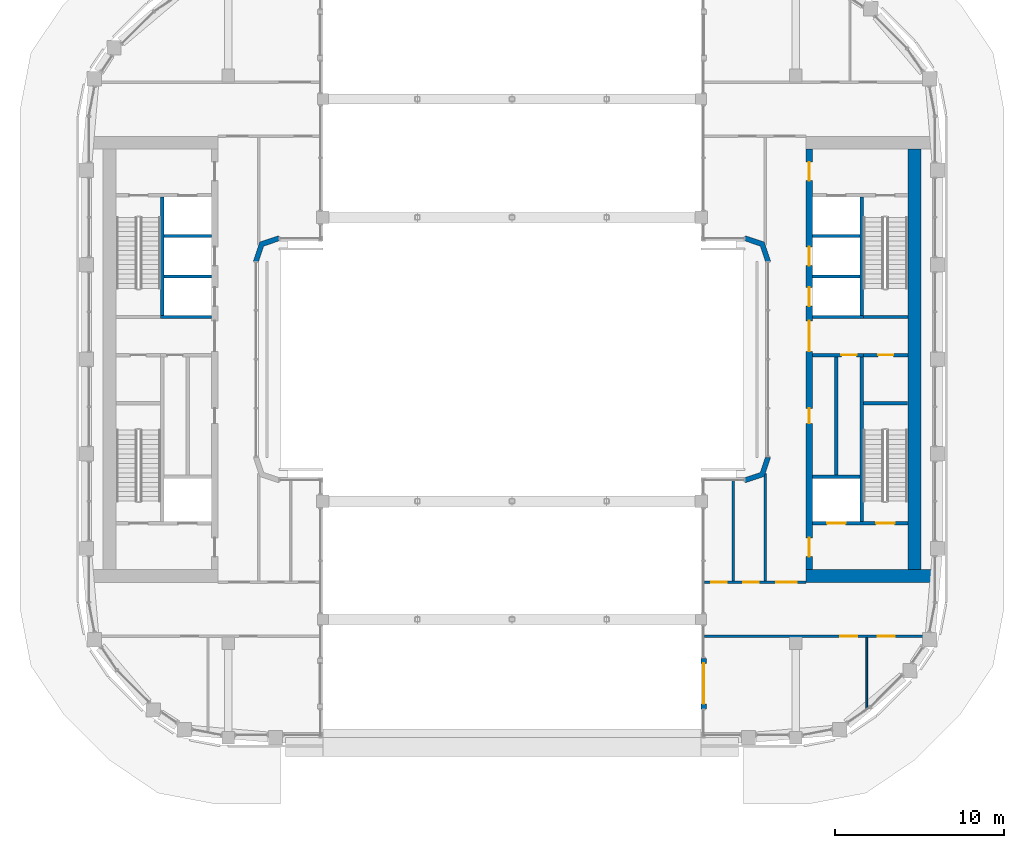
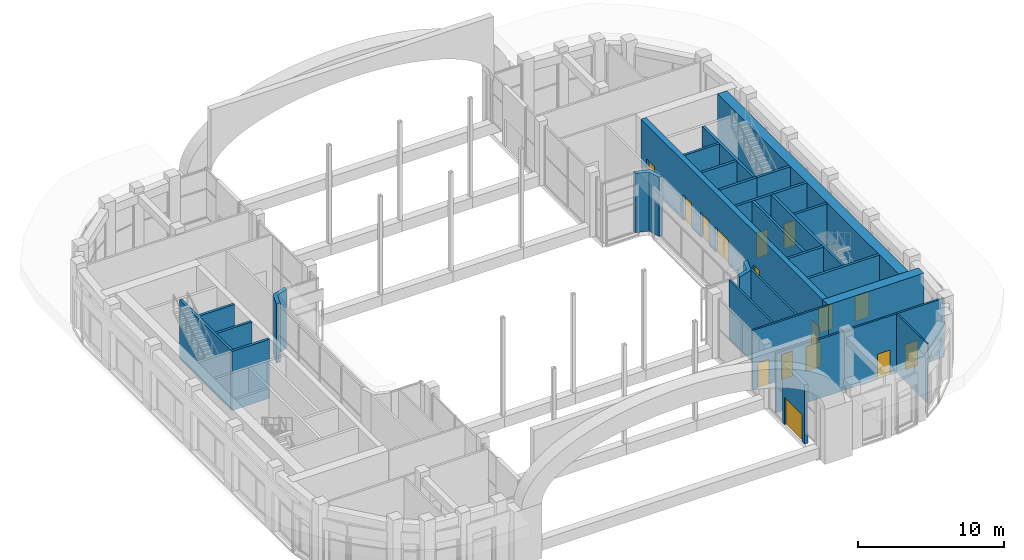
# One storey, part 15 of 26: 28 walls, 16 doors, 16 openings.
"""IFC4 building model written with IfcOpenShell, lengths in metres."""

from ifc_helpers import new_model, si_unit, direction, frame, frame_2d, origin, place, context, subcontext, project, spatial, polyline, rectangle, outline, extrude, material, layer, layer_set, type_object, element, fill, save


model = new_model("IFC4")

# Units and contexts
model_context = context("Model", 3, precision=1e-05, world=origin(), true_north=direction((0.0, 1.0)))
body_context = subcontext(model_context, "Body", "Model", "MODEL_VIEW")
ifc_project = project(units=[si_unit("LENGTHUNIT", "METRE"), si_unit("AREAUNIT", "SQUARE_METRE"), si_unit("VOLUMEUNIT", "CUBIC_METRE"), si_unit("PLANEANGLEUNIT", "RADIAN"), si_unit("MASSUNIT", "GRAM", prefix="KILO")], contexts=[model_context])

# Site, building, storey
site_placement = place(None, origin())
site = spatial("IfcSite", under=ifc_project, at=site_placement, CompositionType="ELEMENT")
building_placement = place(site_placement, origin())
building = spatial("IfcBuilding", under=site, at=building_placement, Name="Kiln Ring Residences", CompositionType="ELEMENT")
storey_placement = place(building_placement, frame((0.0, 0.0, 230.89990234375)))
storey = spatial("IfcBuildingStorey", under=building, at=storey_placement, Name="L60", CompositionType="ELEMENT", Elevation=230.89990234375)

# Wall, opening, door
ifc_material_1 = material(Name="Gypsum board on steel studs", Category="steel")
ifc_layer_1 = layer(ifc_material_1, 0.199951171875)
ifc_layer_set_1 = layer_set([ifc_layer_1], Name="CORE-PARTITION-200")
wall_type_1 = type_object("IfcWallType", Name="CORE-PARTITION-200", PredefinedType="PARTITIONING", material=ifc_layer_set_1)
wall_1_placement = place(storey_placement, frame((20.800048828125, 0.25, 0.0), z_axis=(0.0, 0.0, 1.0), x_axis=(1.0, 0.0, 0.0)))
wall_1 = element("IfcWall", 1, at=wall_1_placement, inside=storey, type_object=wall_type_1, Name="Core partition east L60 1", PredefinedType="PARTITIONING", context=body_context, shape_type="SweptSolid", body=[
    extrude(rectangle(XDim=2.64990234375, YDim=0.199951171875, at=frame_2d((1.324951171875, 0.0))), origin(), (0.0, 0.0, 1.0), 4.9501953125),
])
opening_1_placement = place(wall_1_placement, frame((0.875, 0.0, 0.0)))
opening_1 = element("IfcOpeningElement", 2, at=opening_1_placement, cuts=wall_1, Name="Opening L60-CE12", PredefinedType="OPENING", context=body_context, shape_type="SweptSolid", body=[
    extrude(rectangle(XDim=0.89990234375, YDim=2.10009765625, at=frame_2d((0.449951171875, 1.050048828125))), frame((0.0, 0.10986328125, 0.0), z_axis=(0.0, -1.0, 0.0), x_axis=(1.0, 0.0, 0.0)), (0.0, 0.0, 1.0), 0.219970703125),
])
ifc_material_2 = material(Name="Steel door leaf", Category="steel")
door_type_1 = type_object("IfcDoorType", Name="CORE-DOOR-ROOM", OperationType="SINGLE_SWING_LEFT", PredefinedType="DOOR", material=ifc_material_2)
door_1_placement = place(opening_1_placement, origin())
door_1 = element("IfcDoor", 3, at=door_1_placement, inside=storey, type_object=door_type_1, Name="Refuse and recycling room L60-CE12", OperationType="SINGLE_SWING_LEFT", OverallHeight=2.10009765625, OverallWidth=0.89990234375, PredefinedType="DOOR", context=body_context, shape_type="SweptSolid", body=[
    extrude(rectangle(XDim=0.89990234375, YDim=2.10009765625, at=frame_2d((0.449951171875, 1.050048828125))), frame((0.0, 0.02490234375, 0.0), z_axis=(0.0, -1.0, 0.0), x_axis=(1.0, 0.0, 0.0)), (0.0, 0.0, 1.0), 0.050048828125),
])
fill(opening_1, door_1)

# Walls
wall_2_placement = place(storey_placement, frame((19.199951171875, -6.85009765625, 0.0), z_axis=(0.0, 0.0, 1.0), x_axis=(0.0, 1.0, 0.0)))
element("IfcWall", 4, at=wall_2_placement, inside=storey, type_object=wall_type_1, Name="Core partition east L60 2", PredefinedType="PARTITIONING", context=body_context, shape_type="SweptSolid", body=[
    extrude(rectangle(XDim=7.0, YDim=0.199951171875, at=frame_2d((3.5, 0.0))), origin(), (0.0, 0.0, 1.0), 4.9501953125),
])
ifc_material_3 = material(Name="Gypsum shaft wall system")
ifc_layer_2 = layer(ifc_material_3, 0.199951171875)
ifc_layer_set_2 = layer_set([ifc_layer_2], Name="CORE-SHAFT-WALL-200")
wall_type_2 = type_object("IfcWallType", Name="CORE-SHAFT-WALL-200", PredefinedType="PARTITIONING", material=ifc_layer_set_2)
wall_3_placement = place(storey_placement, frame((-17.800048828125, 2.5, 0.0), z_axis=(0.0, 0.0, 1.0), x_axis=(-1.0, 0.0, 0.0)))
element("IfcWall", 5, at=wall_3_placement, inside=storey, type_object=wall_type_2, Name="Core partition west L60 5", PredefinedType="PARTITIONING", context=body_context, shape_type="SweptSolid", body=[
    extrude(rectangle(XDim=3.0, YDim=0.199951171875, at=frame_2d((1.5, 0.0))), origin(), (0.0, 0.0, 1.0), 4.9501953125),
])
for number, where, z_axis, x_axis, name in (
    (6, (-17.800048828125, 4.89990234375, 0.0), (0.0, 0.0, 1.0), (-1.0, 0.0, 0.0), "Core partition west L60 6"),
    (7, (-17.800048828125, 7.300048828125, 0.0), (0.0, 0.0, 1.0), (-1.0, 0.0, 0.0), "Core partition west L60 7"),
    (8, (17.800048828125, -6.949951171875, 0.0), (0.0, 0.0, 1.0), (1.0, 0.0, 0.0), "Core partition east L60 3"),
):
    element("IfcWall", number, at=place(storey_placement, frame(where, z_axis=z_axis, x_axis=x_axis)), inside=storey, type_object=wall_type_2, Name=name, PredefinedType="PARTITIONING", context=body_context, shape_type="SweptSolid", body=[
        extrude(rectangle(XDim=2.800048828125, YDim=0.199951171875, at=frame_2d((1.39990234375, 0.0))), origin(), (0.0, 0.0, 1.0), 4.9501953125),
    ])

# Wall, opening, door
wall_4_placement = place(storey_placement, frame((17.800048828125, 0.25, 0.0), z_axis=(0.0, 0.0, 1.0), x_axis=(1.0, 0.0, 0.0)))
wall_4 = element("IfcWall", 9, at=wall_4_placement, inside=storey, type_object=wall_type_2, Name="Core partition east L60 4", PredefinedType="PARTITIONING", context=body_context, shape_type="SweptSolid", body=[
    extrude(rectangle(XDim=3.0, YDim=0.199951171875, at=frame_2d((1.5, 0.0))), origin(), (0.0, 0.0, 1.0), 4.9501953125),
])
opening_2_placement = place(wall_4_placement, frame((1.699951171875, 0.0, 0.0)))
opening_2 = element("IfcOpeningElement", 10, at=opening_2_placement, cuts=wall_4, Name="Opening L60-CE03", PredefinedType="OPENING", context=body_context, shape_type="SweptSolid", body=[
    extrude(rectangle(XDim=0.89990234375, YDim=2.10009765625, at=frame_2d((0.449951171875, 1.050048828125))), frame((0.0, 0.10986328125, 0.0), z_axis=(0.0, -1.0, 0.0), x_axis=(1.0, 0.0, 0.0)), (0.0, 0.0, 1.0), 0.219970703125),
])
door_2_placement = place(opening_2_placement, origin())
door_2 = element("IfcDoor", 11, at=door_2_placement, inside=storey, type_object=door_type_1, Name="Locker store L60-CE03", OperationType="SINGLE_SWING_RIGHT", OverallHeight=2.10009765625, OverallWidth=0.89990234375, PredefinedType="DOOR", context=body_context, shape_type="SweptSolid", body=[
    extrude(rectangle(XDim=0.89990234375, YDim=2.10009765625, at=frame_2d((0.449951171875, 1.050048828125))), frame((0.0, 0.02490234375, 0.0), z_axis=(0.0, -1.0, 0.0), x_axis=(1.0, 0.0, 0.0)), (0.0, 0.0, 1.0), 0.050048828125),
])
fill(opening_2, door_2)

# Walls
wall_5_placement = place(storey_placement, frame((17.800048828125, 2.5, 0.0), z_axis=(0.0, 0.0, 1.0), x_axis=(1.0, 0.0, 0.0)))
element("IfcWall", 12, at=wall_5_placement, inside=storey, type_object=wall_type_2, Name="Core partition east L60 5", PredefinedType="PARTITIONING", context=body_context, shape_type="SweptSolid", body=[
    extrude(rectangle(XDim=3.0, YDim=0.199951171875, at=frame_2d((1.5, 0.0))), origin(), (0.0, 0.0, 1.0), 4.9501953125),
])
for number, where, z_axis, x_axis, name in (
    (13, (17.800048828125, 4.89990234375, 0.0), (0.0, 0.0, 1.0), (1.0, 0.0, 0.0), "Core partition east L60 6"),
    (14, (17.800048828125, 7.300048828125, 0.0), (0.0, 0.0, 1.0), (1.0, 0.0, 0.0), "Core partition east L60 7"),
):
    element("IfcWall", number, at=place(storey_placement, frame(where, z_axis=z_axis, x_axis=x_axis)), inside=storey, type_object=wall_type_2, Name=name, PredefinedType="PARTITIONING", context=body_context, shape_type="SweptSolid", body=[
        extrude(rectangle(XDim=2.800048828125, YDim=0.199951171875, at=frame_2d((1.39990234375, 0.0))), origin(), (0.0, 0.0, 1.0), 4.9501953125),
    ])
ifc_material_4 = material(Name="Concrete C40/50", Category="concrete")
ifc_layer_3 = layer(ifc_material_4, 0.199951171875)
ifc_layer_set_3 = layer_set([ifc_layer_3], Name="CORE-WALL-RC200")
wall_type_3 = type_object("IfcWallType", Name="CORE-WALL-RC200", PredefinedType="SHEAR", material=ifc_layer_set_3)
for number, where, z_axis, x_axis, name in (
    (15, (-20.699951171875, 2.60009765625, 0.0), (0.0, 0.0, 1.0), (0.0, 1.0, 0.0), "Core wall west L60 1"),
    (16, (20.699951171875, 2.60009765625, 0.0), (0.0, 0.0, 1.0), (0.0, 1.0, 0.0), "Core wall east L60 1"),
):
    element("IfcWall", number, at=place(storey_placement, frame(where, z_axis=z_axis, x_axis=x_axis)), inside=storey, type_object=wall_type_3, Name=name, PredefinedType="SHEAR", context=body_context, shape_type="SweptSolid", body=[
        extrude(rectangle(XDim=7.0, YDim=0.199951171875, at=frame_2d((3.5, 0.0))), origin(), (0.0, 0.0, 1.0), 4.9501953125),
    ])
wall_6_placement = place(storey_placement, frame((20.699951171875, -9.60009765625, 0.0), z_axis=(0.0, 0.0, 1.0), x_axis=(0.0, 1.0, 0.0)))
element("IfcWall", 17, at=wall_6_placement, inside=storey, type_object=wall_type_3, Name="Core wall east L60 2", PredefinedType="SHEAR", context=body_context, shape_type="SweptSolid", body=[
    extrude(rectangle(XDim=9.75, YDim=0.199951171875, at=frame_2d((4.875, 0.0))), origin(), (0.0, 0.0, 1.0), 4.9501953125),
])
wall_7_placement = place(storey_placement, frame((20.800048828125, 2.5, 0.0), z_axis=(0.0, 0.0, 1.0), x_axis=(1.0, 0.0, 0.0)))
element("IfcWall", 18, at=wall_7_placement, inside=storey, type_object=wall_type_3, Name="Core wall east L60 3", PredefinedType="SHEAR", context=body_context, shape_type="SweptSolid", body=[
    extrude(rectangle(XDim=2.64990234375, YDim=0.199951171875, at=frame_2d((1.324951171875, 0.0))), origin(), (0.0, 0.0, 1.0), 4.9501953125),
])

# Wall, openings, doors
wall_8_placement = place(storey_placement, frame((17.800048828125, -9.699951171875, 0.0), z_axis=(0.0, 0.0, 1.0), x_axis=(1.0, 0.0, 0.0)))
wall_8 = element("IfcWall", 19, at=wall_8_placement, inside=storey, type_object=wall_type_3, Name="Core wall east L60 8", PredefinedType="SHEAR", context=body_context, shape_type="SweptSolid", body=[
    extrude(rectangle(XDim=5.64990234375, YDim=0.199951171875, at=frame_2d((2.824951171875, 0.0))), origin(), (0.0, 0.0, 1.0), 4.9501953125),
])
opening_3_placement = place(wall_8_placement, frame((0.85009765625, 0.0, 0.0)))
opening_3 = element("IfcOpeningElement", 20, at=opening_3_placement, cuts=wall_8, Name="Opening L60-CE01", PredefinedType="OPENING", context=body_context, shape_type="SweptSolid", body=[
    extrude(rectangle(XDim=1.10009765625, YDim=2.10009765625, at=frame_2d((0.550048828125, 1.050048828125))), frame((0.0, 0.10986328125, 0.0), z_axis=(0.0, -1.0, 0.0), x_axis=(1.0, 0.0, 0.0)), (0.0, 0.0, 1.0), 0.219970703125),
])
opening_4_placement = place(wall_8_placement, frame((3.75, 0.0, 0.0)))
opening_4 = element("IfcOpeningElement", 21, at=opening_4_placement, cuts=wall_8, Name="Opening L60-CE10", PredefinedType="OPENING", context=body_context, shape_type="SweptSolid", body=[
    extrude(rectangle(XDim=1.10009765625, YDim=2.10009765625, at=frame_2d((0.550048828125, 1.050048828125))), frame((0.0, 0.10986328125, 0.0), z_axis=(0.0, -1.0, 0.0), x_axis=(1.0, 0.0, 0.0)), (0.0, 0.0, 1.0), 0.219970703125),
])
ifc_material_5 = material(Name="Steel door leaf", Category="steel")
door_type_2 = type_object("IfcDoorType", Name="CORE-DOOR-LD", OperationType="DOUBLE_DOOR_SLIDING", PredefinedType="DOOR", material=ifc_material_5)
door_3_placement = place(opening_3_placement, origin())
door_3 = element("IfcDoor", 22, at=door_3_placement, inside=storey, type_object=door_type_2, Name="LD E-SV L60-CE01", OperationType="DOUBLE_DOOR_SLIDING", OverallHeight=2.10009765625, OverallWidth=1.10009765625, PredefinedType="DOOR", context=body_context, shape_type="SweptSolid", body=[
    extrude(rectangle(XDim=1.10009765625, YDim=2.10009765625, at=frame_2d((0.550048828125, 1.050048828125))), frame((0.0, 0.02490234375, 0.0), z_axis=(0.0, -1.0, 0.0), x_axis=(1.0, 0.0, 0.0)), (0.0, 0.0, 1.0), 0.050048828125),
])
fill(opening_3, door_3)
ifc_material_6 = material(Name="Steel door leaf", Category="steel")
door_type_3 = type_object("IfcDoorType", Name="CORE-DOOR-STAIR", OperationType="SINGLE_SWING_LEFT", PredefinedType="DOOR", material=ifc_material_6)
door_4_placement = place(opening_4_placement, origin())
door_4 = element("IfcDoor", 23, at=door_4_placement, inside=storey, type_object=door_type_3, Name="Stair E-STS L60-CE10", OperationType="SINGLE_SWING_RIGHT", OverallHeight=2.10009765625, OverallWidth=1.10009765625, PredefinedType="DOOR", context=body_context, shape_type="SweptSolid", body=[
    extrude(rectangle(XDim=1.10009765625, YDim=2.10009765625, at=frame_2d((0.550048828125, 1.050048828125))), frame((0.0, 0.02490234375, 0.0), z_axis=(0.0, -1.0, 0.0), x_axis=(1.0, 0.0, 0.0)), (0.0, 0.0, 1.0), 0.050048828125),
])
fill(opening_4, door_4)

# Wall
wall_9_placement = place(storey_placement, frame((20.800048828125, -2.60009765625, 0.0), z_axis=(0.0, 0.0, 1.0), x_axis=(1.0, 0.0, 0.0)))
element("IfcWall", 24, at=wall_9_placement, inside=storey, type_object=wall_type_3, Name="Core wall east L60 10", PredefinedType="SHEAR", context=body_context, shape_type="SweptSolid", body=[
    extrude(rectangle(XDim=2.599853515625, YDim=0.199951171875, at=frame_2d((1.2998046875, 0.0))), origin(), (0.0, 0.0, 1.0), 4.9501953125),
])

# Wall, openings, doors
ifc_material_7 = material(Name="Concrete C60/75", Category="concrete")
ifc_layer_4 = layer(ifc_material_7, 0.39990234375)
ifc_layer_set_4 = layer_set([ifc_layer_4], Name="CORE-WALL-RC400")
wall_type_4 = type_object("IfcWallType", Name="CORE-WALL-RC400", PredefinedType="SHEAR", material=ifc_layer_set_4)
wall_10_placement = place(storey_placement, frame((17.60009765625, -12.449951171875, 0.0), z_axis=(0.0, 0.0, 1.0), x_axis=(0.0, 1.0, 0.0)))
wall_10 = element("IfcWall", 25, at=wall_10_placement, inside=storey, type_object=wall_type_4, Name="Core wall east L60 6", PredefinedType="SHEAR", context=body_context, shape_type="SweptSolid", body=[
    extrude(rectangle(XDim=24.89990234375, YDim=0.39990234375, at=frame_2d((12.449951171875, 0.0))), origin(), (0.0, 0.0, 1.0), 4.9501953125),
])
opening_5_placement = place(wall_10_placement, frame((8.64990234375, 0.0, 0.0)))
opening_5 = element("IfcOpeningElement", 26, at=opening_5_placement, cuts=wall_10, Name="Opening L60-CE02", PredefinedType="OPENING", context=body_context, shape_type="SweptSolid", body=[
    extrude(rectangle(XDim=0.89990234375, YDim=2.10009765625, at=frame_2d((0.449951171875, 1.050048828125))), frame((0.0, 0.2099609375, 0.0), z_axis=(0.0, -1.0, 0.0), x_axis=(1.0, 0.0, 0.0)), (0.0, 0.0, 1.0), 0.419921875),
])
opening_6_placement = place(wall_10_placement, frame((15.60009765625, 0.0, 0.0)))
opening_6 = element("IfcOpeningElement", 27, at=opening_6_placement, cuts=wall_10, Name="Opening L60-CE04", PredefinedType="OPENING", context=body_context, shape_type="SweptSolid", body=[
    extrude(rectangle(XDim=1.10009765625, YDim=2.10009765625, at=frame_2d((0.550048828125, 1.050048828125))), frame((0.0, 0.2099609375, 0.0), z_axis=(0.0, -1.0, 0.0), x_axis=(1.0, 0.0, 0.0)), (0.0, 0.0, 1.0), 0.419921875),
])
opening_7_placement = place(wall_10_placement, frame((18.0, 0.0, 0.0)))
opening_7 = element("IfcOpeningElement", 28, at=opening_7_placement, cuts=wall_10, Name="Opening L60-CE05", PredefinedType="OPENING", context=body_context, shape_type="SweptSolid", body=[
    extrude(rectangle(XDim=1.10009765625, YDim=2.10009765625, at=frame_2d((0.550048828125, 1.050048828125))), frame((0.0, 0.2099609375, 0.0), z_axis=(0.0, -1.0, 0.0), x_axis=(1.0, 0.0, 0.0)), (0.0, 0.0, 1.0), 0.419921875),
])
opening_8_placement = place(wall_10_placement, frame((23.02490234375, 0.0, 0.0)))
opening_8 = element("IfcOpeningElement", 29, at=opening_8_placement, cuts=wall_10, Name="Opening L60-CE07", PredefinedType="OPENING", context=body_context, shape_type="SweptSolid", body=[
    extrude(rectangle(XDim=1.10009765625, YDim=2.10009765625, at=frame_2d((0.550048828125, 1.050048828125))), frame((0.0, 0.2099609375, 0.0), z_axis=(0.0, -1.0, 0.0), x_axis=(1.0, 0.0, 0.0)), (0.0, 0.0, 1.0), 0.419921875),
])
opening_9_placement = place(wall_10_placement, frame((0.77490234375, 0.0, 0.0)))
opening_9 = element("IfcOpeningElement", 30, at=opening_9_placement, cuts=wall_10, Name="Opening L60-CE08", PredefinedType="OPENING", context=body_context, shape_type="SweptSolid", body=[
    extrude(rectangle(XDim=1.10009765625, YDim=2.10009765625, at=frame_2d((0.550048828125, 1.050048828125))), frame((0.0, 0.2099609375, 0.0), z_axis=(0.0, -1.0, 0.0), x_axis=(1.0, 0.0, 0.0)), (0.0, 0.0, 1.0), 0.419921875),
])
opening_10_placement = place(wall_10_placement, frame((12.925048828125, 0.0, 0.0)))
opening_10 = element("IfcOpeningElement", 31, at=opening_10_placement, cuts=wall_10, Name="Opening L60-CE11", PredefinedType="OPENING", context=body_context, shape_type="SweptSolid", body=[
    extrude(rectangle(XDim=1.800048828125, YDim=2.10009765625, at=frame_2d((0.89990234375, 1.050048828125))), frame((0.0, 0.2099609375, 0.0), z_axis=(0.0, -1.0, 0.0), x_axis=(1.0, 0.0, 0.0)), (0.0, 0.0, 1.0), 0.419921875),
])
door_5_placement = place(opening_6_placement, origin())
door_5 = element("IfcDoor", 32, at=door_5_placement, inside=storey, type_object=door_type_2, Name="LD E-M1 L60-CE04", OperationType="DOUBLE_DOOR_SLIDING", OverallHeight=2.10009765625, OverallWidth=1.10009765625, PredefinedType="DOOR", context=body_context, shape_type="SweptSolid", body=[
    extrude(rectangle(XDim=1.10009765625, YDim=2.10009765625, at=frame_2d((0.550048828125, 1.050048828125))), frame((0.0, 0.02490234375, 0.0), z_axis=(0.0, -1.0, 0.0), x_axis=(1.0, 0.0, 0.0)), (0.0, 0.0, 1.0), 0.050048828125),
])
fill(opening_6, door_5)
door_6_placement = place(opening_7_placement, origin())
door_6 = element("IfcDoor", 33, at=door_6_placement, inside=storey, type_object=door_type_2, Name="LD E-M2 L60-CE05", OperationType="DOUBLE_DOOR_SLIDING", OverallHeight=2.10009765625, OverallWidth=1.10009765625, PredefinedType="DOOR", context=body_context, shape_type="SweptSolid", body=[
    extrude(rectangle(XDim=1.10009765625, YDim=2.10009765625, at=frame_2d((0.550048828125, 1.050048828125))), frame((0.0, 0.02490234375, 0.0), z_axis=(0.0, -1.0, 0.0), x_axis=(1.0, 0.0, 0.0)), (0.0, 0.0, 1.0), 0.050048828125),
])
fill(opening_7, door_6)
ifc_material_8 = material(Name="Steel door leaf", Category="steel")
door_type_4 = type_object("IfcDoorType", Name="CORE-DOOR-LOBBY", OperationType="SINGLE_SWING_LEFT", PredefinedType="DOOR", material=ifc_material_8)
door_7_placement = place(opening_8_placement, origin())
door_7 = element("IfcDoor", 34, at=door_7_placement, inside=storey, type_object=door_type_4, Name="FFL L60-CE07", OperationType="SINGLE_SWING_LEFT", OverallHeight=2.10009765625, OverallWidth=1.10009765625, PredefinedType="DOOR", context=body_context, shape_type="SweptSolid", body=[
    extrude(rectangle(XDim=1.10009765625, YDim=2.10009765625, at=frame_2d((0.550048828125, 1.050048828125))), frame((0.0, 0.02490234375, 0.0), z_axis=(0.0, -1.0, 0.0), x_axis=(1.0, 0.0, 0.0)), (0.0, 0.0, 1.0), 0.050048828125),
])
fill(opening_8, door_7)
door_8_placement = place(opening_9_placement, origin())
door_8 = element("IfcDoor", 35, at=door_8_placement, inside=storey, type_object=door_type_4, Name="SVL L60-CE08", OperationType="SINGLE_SWING_RIGHT", OverallHeight=2.10009765625, OverallWidth=1.10009765625, PredefinedType="DOOR", context=body_context, shape_type="SweptSolid", body=[
    extrude(rectangle(XDim=1.10009765625, YDim=2.10009765625, at=frame_2d((0.550048828125, 1.050048828125))), frame((0.0, 0.02490234375, 0.0), z_axis=(0.0, -1.0, 0.0), x_axis=(1.0, 0.0, 0.0)), (0.0, 0.0, 1.0), 0.050048828125),
])
fill(opening_9, door_8)
ifc_material_9 = material(Name="Steel door leaf", Category="steel")
door_type_5 = type_object("IfcDoorType", Name="CORE-DOOR-PASS", OperationType="DOUBLE_DOOR_SINGLE_SWING", PredefinedType="DOOR", material=ifc_material_9)
door_9_placement = place(opening_10_placement, origin())
door_9 = element("IfcDoor", 36, at=door_9_placement, inside=storey, type_object=door_type_5, Name="Core passage L60-CE11", OperationType="DOUBLE_DOOR_SINGLE_SWING", OverallHeight=2.10009765625, OverallWidth=1.800048828125, PredefinedType="DOOR", context=body_context, shape_type="SweptSolid", body=[
    extrude(rectangle(XDim=1.800048828125, YDim=2.10009765625, at=frame_2d((0.89990234375, 1.050048828125))), frame((0.0, 0.02490234375, 0.0), z_axis=(0.0, -1.0, 0.0), x_axis=(1.0, 0.0, 0.0)), (0.0, 0.0, 1.0), 0.050048828125),
])
fill(opening_10, door_9)
door_10_placement = place(opening_5_placement, origin())
door_10 = element("IfcDoor", 37, at=door_10_placement, inside=storey, type_object=door_type_1, Name="Storage room L60-CE02", OperationType="SINGLE_SWING_LEFT", OverallHeight=2.10009765625, OverallWidth=0.89990234375, PredefinedType="DOOR", context=body_context, shape_type="SweptSolid", body=[
    extrude(rectangle(XDim=0.89990234375, YDim=2.10009765625, at=frame_2d((0.449951171875, 1.050048828125))), frame((0.0, 0.02490234375, 0.0), z_axis=(0.0, -1.0, 0.0), x_axis=(1.0, 0.0, 0.0)), (0.0, 0.0, 1.0), 0.050048828125),
])
fill(opening_5, door_10)

# Walls
ifc_material_10 = material(Name="Concrete C60/75", Category="concrete")
ifc_layer_5 = layer(ifc_material_10, 0.75)
ifc_layer_set_5 = layer_set([ifc_layer_5], Name="CORE-WALL-RC750")
wall_type_5 = type_object("IfcWallType", Name="CORE-WALL-RC750", PredefinedType="SHEAR", material=ifc_layer_set_5)
wall_11_placement = place(storey_placement, frame((17.39990234375, -12.824951171875, 0.0), z_axis=(0.0, 0.0, 1.0), x_axis=(1.0, 0.0, 0.0)))
element("IfcWall", 38, at=wall_11_placement, inside=storey, type_object=wall_type_5, Name="Core wall east L60 5", PredefinedType="SHEAR", context=body_context, shape_type="SweptSolid", body=[
    extrude(rectangle(XDim=7.60009765625, YDim=0.75, at=frame_2d((3.800048828125, 0.0))), origin(), (0.0, 0.0, 1.0), 4.9501953125),
])
wall_12_placement = place(storey_placement, frame((23.824951171875, -12.449951171875, 0.0), z_axis=(0.0, 0.0, 1.0), x_axis=(0.0, 1.0, 0.0)))
element("IfcWall", 39, at=wall_12_placement, inside=storey, type_object=wall_type_5, Name="Core wall east L60 7", PredefinedType="SHEAR", context=body_context, shape_type="SweptSolid", body=[
    extrude(rectangle(XDim=24.89990234375, YDim=0.75, at=frame_2d((12.449951171875, 0.0))), origin(), (0.0, 0.0, 1.0), 4.9501953125),
])

# Wall, opening, door
ifc_material_11 = material(Name="Brick masonry, dark clay brick", Category="masonry")
ifc_layer_6 = layer(ifc_material_11, 0.300048828125)
ifc_layer_set_6 = layer_set([ifc_layer_6], Name="EW-300 BRICK WALL")
wall_type_6 = type_object("IfcWallType", Name="EW-300 BRICK WALL", PredefinedType="SOLIDWALL", material=ifc_layer_set_6)
wall_13_placement = place(storey_placement, frame((11.35009765625, -17.699951171875, 0.0), z_axis=(0.0, 0.0, 1.0), x_axis=(0.0, -1.0, 0.0)))
wall_13 = element("IfcWall", 40, at=wall_13_placement, inside=storey, type_object=wall_type_6, Name="Facade wall L60 3", PredefinedType="SOLIDWALL", context=body_context, shape_type="SweptSolid", body=[
    extrude(rectangle(XDim=3.0, YDim=0.300048828125, at=frame_2d((1.5, 0.0))), origin(), (0.0, 0.0, 1.0), 4.9501953125),
])
opening_11_placement = place(wall_13_placement, frame((0.300048828125, 0.0, 0.0)))
opening_11 = element("IfcOpeningElement", 41, at=opening_11_placement, cuts=wall_13, Name="Opening EL60-3", PredefinedType="OPENING", context=body_context, shape_type="SweptSolid", body=[
    extrude(rectangle(XDim=2.39990234375, YDim=2.300048828125, at=frame_2d((1.199951171875, 1.14990234375))), frame((0.0, 0.159912109375, 0.0), z_axis=(0.0, -1.0, 0.0), x_axis=(1.0, 0.0, 0.0)), (0.0, 0.0, 1.0), 0.320068359375),
])
ifc_material_12 = material(Name="Aluminium and glass", Category="aluminium")
door_type_6 = type_object("IfcDoorType", Name="TERRACE DOOR 2400 x 2300", OperationType="DOUBLE_DOOR_SINGLE_SWING", PredefinedType="DOOR", material=ifc_material_12)
door_11_placement = place(opening_11_placement, origin())
door_11 = element("IfcDoor", 42, at=door_11_placement, inside=storey, type_object=door_type_6, Name="Terrace door EL60-3", OperationType="SINGLE_SWING_LEFT", OverallHeight=2.300048828125, OverallWidth=2.39990234375, PredefinedType="DOOR", context=body_context, shape_type="SweptSolid", body=[
    extrude(rectangle(XDim=2.39990234375, YDim=2.300048828125, at=frame_2d((1.199951171875, 1.14990234375))), frame((0.0, 0.02490234375, 0.0), z_axis=(0.0, -1.0, 0.0), x_axis=(1.0, 0.0, 0.0)), (0.0, 0.0, 1.0), 0.050048828125),
])
fill(opening_11, door_11)

# Walls
placement = place(storey_placement, origin())
element("IfcWall", 43, at=placement, inside=storey, type_object=wall_type_6, Name="Corner wall L60 1", PredefinedType="SOLIDWALL", context=body_context, shape_type="SweptSolid", body=[
    extrude(outline(polyline([(-15.0, 5.800048828125), (-14.699951171875, 6.699951171875), (-13.800048828125, 7.0), (-13.800048828125, 7.300048828125), (-13.8486328125, 7.300048828125), (-14.937255859375, 6.937255859375), (-15.300048828125, 5.8486328125), (-15.300048828125, 5.800048828125), (-15.0, 5.800048828125)])), origin(), (0.0, 0.0, 1.0), 4.9501953125),
])
element("IfcWall", 44, at=placement, inside=storey, type_object=wall_type_6, Name="Corner wall L60 3", PredefinedType="SOLIDWALL", context=body_context, shape_type="SweptSolid", body=[
    extrude(outline(polyline([(13.800048828125, 7.0), (14.699951171875, 6.699951171875), (15.0, 5.800048828125), (15.300048828125, 5.800048828125), (15.300048828125, 5.8486328125), (14.937255859375, 6.937255859375), (13.8486328125, 7.300048828125), (13.800048828125, 7.300048828125), (13.800048828125, 7.0)])), origin(), (0.0, 0.0, 1.0), 4.9501953125),
])
element("IfcWall", 45, at=placement, inside=storey, type_object=wall_type_6, Name="Corner wall L60 4", PredefinedType="SOLIDWALL", context=body_context, shape_type="SweptSolid", body=[
    extrude(outline(polyline([(15.0, -5.800048828125), (14.699951171875, -6.699951171875), (13.800048828125, -7.0), (13.800048828125, -7.300048828125), (13.8486328125, -7.300048828125), (14.937255859375, -6.937255859375), (15.300048828125, -5.8486328125), (15.300048828125, -5.800048828125), (15.0, -5.800048828125)])), origin(), (0.0, 0.0, 1.0), 4.9501953125),
])
ifc_material_13 = material(Name="Gypsum board on steel studs", Category="steel")
ifc_layer_7 = layer(ifc_material_13, 0.10009765625)
ifc_layer_set_7 = layer_set([ifc_layer_7], Name="PARTITION-100")
wall_type_7 = type_object("IfcWallType", Name="PARTITION-100", PredefinedType="PARTITIONING", material=ifc_layer_set_7)
wall_17_placement = place(storey_placement, frame((21.0, -20.6865234375, 0.0), z_axis=(0.0, 0.0, 1.0), x_axis=(0.0, 1.0, 0.0)))
element("IfcWall", 46, at=wall_17_placement, inside=storey, type_object=wall_type_7, Name="Partition 016", PredefinedType="PARTITIONING", context=body_context, shape_type="SweptSolid", body=[
    extrude(rectangle(XDim=4.21142578125, YDim=0.10009765625, at=frame_2d((2.105712890625, 0.0))), origin(), (0.0, 0.0, 1.0), 4.9501953125),
])

# Wall, openings, doors
ifc_material_14 = material(Name="Brick masonry partition", Category="masonry")
ifc_layer_8 = layer(ifc_material_14, 0.14990234375)
ifc_layer_set_8 = layer_set([ifc_layer_8], Name="PARTITION-150-ei60")
wall_type_8 = type_object("IfcWallType", Name="PARTITION-150-ei60", PredefinedType="PARTITIONING", material=ifc_layer_set_8)
wall_18_placement = place(storey_placement, frame((11.384033203125, -16.39990234375, 0.0), z_axis=(0.0, 0.0, 1.0), x_axis=(1.0, 0.0, 0.0)))
wall_18 = element("IfcWall", 47, at=wall_18_placement, inside=storey, type_object=wall_type_8, Name="Partition 001", PredefinedType="PARTITIONING", context=body_context, shape_type="SweptSolid", body=[
    extrude(rectangle(XDim=13.3359375, YDim=0.14990234375, at=frame_2d((6.66796875, 0.0))), origin(), (0.0, 0.0, 1.0), 4.9501953125),
])
opening_12_placement = place(wall_18_placement, frame((8.055908203125, 0.0, 0.0)))
opening_12 = element("IfcOpeningElement", 48, at=opening_12_placement, cuts=wall_18, Name="Opening L60-D016", PredefinedType="OPENING", context=body_context, shape_type="SweptSolid", body=[
    extrude(rectangle(XDim=1.0, YDim=2.10009765625, at=frame_2d((0.5, 1.050048828125))), frame((0.0, 0.0849609375, 0.0), z_axis=(0.0, -1.0, 0.0), x_axis=(1.0, 0.0, 0.0)), (0.0, 0.0, 1.0), 0.169921875),
])
opening_13_placement = place(wall_18_placement, frame((10.26611328125, 0.0, 0.0)))
opening_13 = element("IfcOpeningElement", 49, at=opening_13_placement, cuts=wall_18, Name="Opening L60-D017", PredefinedType="OPENING", context=body_context, shape_type="SweptSolid", body=[
    extrude(rectangle(XDim=1.0, YDim=2.10009765625, at=frame_2d((0.5, 1.050048828125))), frame((0.0, 0.0849609375, 0.0), z_axis=(0.0, -1.0, 0.0), x_axis=(1.0, 0.0, 0.0)), (0.0, 0.0, 1.0), 0.169921875),
])
ifc_material_15 = material(Name="Steel faced fire door leaf", Category="steel")
door_type_7 = type_object("IfcDoorType", Name="FLAT-DOOR-1000-FR", OperationType="SINGLE_SWING_LEFT", PredefinedType="DOOR", material=ifc_material_15)
door_12_placement = place(opening_12_placement, origin())
door_12 = element("IfcDoor", 50, at=door_12_placement, inside=storey, type_object=door_type_7, Name="Door L60-D016", OperationType="SINGLE_SWING_RIGHT", OverallHeight=2.10009765625, OverallWidth=1.0, PredefinedType="DOOR", context=body_context, shape_type="SweptSolid", body=[
    extrude(rectangle(XDim=1.0, YDim=2.10009765625, at=frame_2d((0.5, 1.050048828125))), frame((0.0, 0.02490234375, 0.0), z_axis=(0.0, -1.0, 0.0), x_axis=(1.0, 0.0, 0.0)), (0.0, 0.0, 1.0), 0.050048828125),
])
fill(opening_12, door_12)
door_13_placement = place(opening_13_placement, origin())
door_13 = element("IfcDoor", 51, at=door_13_placement, inside=storey, type_object=door_type_7, Name="Door L60-D017", OperationType="SINGLE_SWING_LEFT", OverallHeight=2.10009765625, OverallWidth=1.0, PredefinedType="DOOR", context=body_context, shape_type="SweptSolid", body=[
    extrude(rectangle(XDim=1.0, YDim=2.10009765625, at=frame_2d((0.5, 1.050048828125))), frame((0.0, 0.02490234375, 0.0), z_axis=(0.0, -1.0, 0.0), x_axis=(1.0, 0.0, 0.0)), (0.0, 0.0, 1.0), 0.050048828125),
])
fill(opening_13, door_13)

wall_19_placement = place(storey_placement, frame((11.384033203125, -13.199951171875, 0.0), z_axis=(0.0, 0.0, 1.0), x_axis=(1.0, 0.0, 0.0)))
wall_19 = element("IfcWall", 52, at=wall_19_placement, inside=storey, type_object=wall_type_8, Name="Partition 003", PredefinedType="PARTITIONING", context=body_context, shape_type="SweptSolid", body=[
    extrude(rectangle(XDim=6.015869140625, YDim=0.14990234375, at=frame_2d((3.0078125, 0.0))), origin(), (0.0, 0.0, 1.0), 4.9501953125),
])
opening_14_placement = place(wall_19_placement, frame((4.26611328125, 0.0, 0.0)))
opening_14 = element("IfcOpeningElement", 53, at=opening_14_placement, cuts=wall_19, Name="Opening L60-D013", PredefinedType="OPENING", context=body_context, shape_type="SweptSolid", body=[
    extrude(rectangle(XDim=1.199951171875, YDim=2.10009765625, at=frame_2d((0.60009765625, 1.050048828125))), frame((0.0, 0.0849609375, 0.0), z_axis=(0.0, -1.0, 0.0), x_axis=(1.0, 0.0, 0.0)), (0.0, 0.0, 1.0), 0.169921875),
])
opening_15_placement = place(wall_19_placement, frame((0.416015625, 0.0, 0.0)))
opening_15 = element("IfcOpeningElement", 54, at=opening_15_placement, cuts=wall_19, Name="Opening L60-D014", PredefinedType="OPENING", context=body_context, shape_type="SweptSolid", body=[
    extrude(rectangle(XDim=0.89990234375, YDim=2.10009765625, at=frame_2d((0.449951171875, 1.050048828125))), frame((0.0, 0.0849609375, 0.0), z_axis=(0.0, -1.0, 0.0), x_axis=(1.0, 0.0, 0.0)), (0.0, 0.0, 1.0), 0.169921875),
])
opening_16_placement = place(wall_19_placement, frame((2.31591796875, 0.0, 0.0)))
opening_16 = element("IfcOpeningElement", 55, at=opening_16_placement, cuts=wall_19, Name="Opening L60-D015", PredefinedType="OPENING", context=body_context, shape_type="SweptSolid", body=[
    extrude(rectangle(XDim=0.89990234375, YDim=2.10009765625, at=frame_2d((0.449951171875, 1.050048828125))), frame((0.0, 0.0849609375, 0.0), z_axis=(0.0, -1.0, 0.0), x_axis=(1.0, 0.0, 0.0)), (0.0, 0.0, 1.0), 0.169921875),
])
ifc_material_16 = material(Name="Steel faced fire door leaf", Category="steel")
door_type_8 = type_object("IfcDoorType", Name="FLAT-DOOR-1200-FR", OperationType="SINGLE_SWING_LEFT", PredefinedType="DOOR", material=ifc_material_16)
door_14_placement = place(opening_14_placement, origin())
door_14 = element("IfcDoor", 56, at=door_14_placement, inside=storey, type_object=door_type_8, Name="Door L60-D013", OperationType="SINGLE_SWING_RIGHT", OverallHeight=2.10009765625, OverallWidth=1.199951171875, PredefinedType="DOOR", context=body_context, shape_type="SweptSolid", body=[
    extrude(rectangle(XDim=1.199951171875, YDim=2.10009765625, at=frame_2d((0.60009765625, 1.050048828125))), frame((0.0, 0.02490234375, 0.0), z_axis=(0.0, -1.0, 0.0), x_axis=(1.0, 0.0, 0.0)), (0.0, 0.0, 1.0), 0.050048828125),
])
fill(opening_14, door_14)
ifc_material_17 = material(Name="Steel faced fire door leaf", Category="steel")
door_type_9 = type_object("IfcDoorType", Name="FLAT-DOOR-900-FR", OperationType="SINGLE_SWING_LEFT", PredefinedType="DOOR", material=ifc_material_17)
door_15_placement = place(opening_15_placement, origin())
door_15 = element("IfcDoor", 57, at=door_15_placement, inside=storey, type_object=door_type_9, Name="Door L60-D014", OperationType="SINGLE_SWING_RIGHT", OverallHeight=2.10009765625, OverallWidth=0.89990234375, PredefinedType="DOOR", context=body_context, shape_type="SweptSolid", body=[
    extrude(rectangle(XDim=0.89990234375, YDim=2.10009765625, at=frame_2d((0.449951171875, 1.050048828125))), frame((0.0, 0.02490234375, 0.0), z_axis=(0.0, -1.0, 0.0), x_axis=(1.0, 0.0, 0.0)), (0.0, 0.0, 1.0), 0.050048828125),
])
fill(opening_15, door_15)
door_16_placement = place(opening_16_placement, origin())
door_16 = element("IfcDoor", 58, at=door_16_placement, inside=storey, type_object=door_type_9, Name="Door L60-D015", OperationType="SINGLE_SWING_LEFT", OverallHeight=2.10009765625, OverallWidth=0.89990234375, PredefinedType="DOOR", context=body_context, shape_type="SweptSolid", body=[
    extrude(rectangle(XDim=0.89990234375, YDim=2.10009765625, at=frame_2d((0.449951171875, 1.050048828125))), frame((0.0, 0.02490234375, 0.0), z_axis=(0.0, -1.0, 0.0), x_axis=(1.0, 0.0, 0.0)), (0.0, 0.0, 1.0), 0.050048828125),
])
fill(opening_16, door_16)

# Walls
wall_20_placement = place(storey_placement, frame((13.10009765625, -13.125, 0.0), z_axis=(0.0, 0.0, 1.0), x_axis=(0.0, 1.0, 0.0)))
element("IfcWall", 59, at=wall_20_placement, inside=storey, type_object=wall_type_8, Name="Partition 012", PredefinedType="PARTITIONING", context=body_context, shape_type="SweptSolid", body=[
    extrude(rectangle(XDim=5.94091796875, YDim=0.14990234375, at=frame_2d((2.970458984375, 0.0))), origin(), (0.0, 0.0, 1.0), 4.9501953125),
])
wall_21_placement = place(storey_placement, frame((15.0, -13.125, 0.0), z_axis=(0.0, 0.0, 1.0), x_axis=(0.0, 1.0, 0.0)))
element("IfcWall", 60, at=wall_21_placement, inside=storey, type_object=wall_type_8, Name="Partition 013", PredefinedType="PARTITIONING", context=body_context, shape_type="SweptSolid", body=[
    extrude(rectangle(XDim=6.356201171875, YDim=0.14990234375, at=frame_2d((3.17822265625, 0.0))), origin(), (0.0, 0.0, 1.0), 4.9501953125),
])

save(model, "model.ifc")
